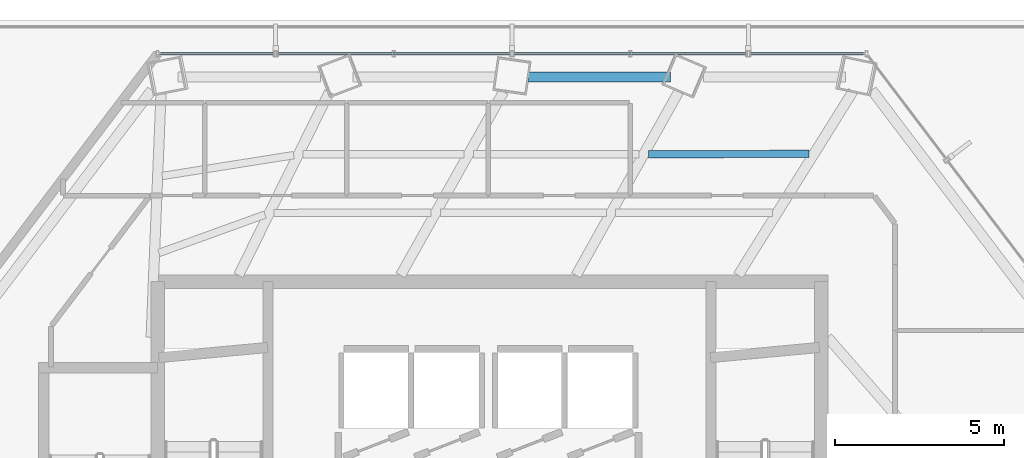
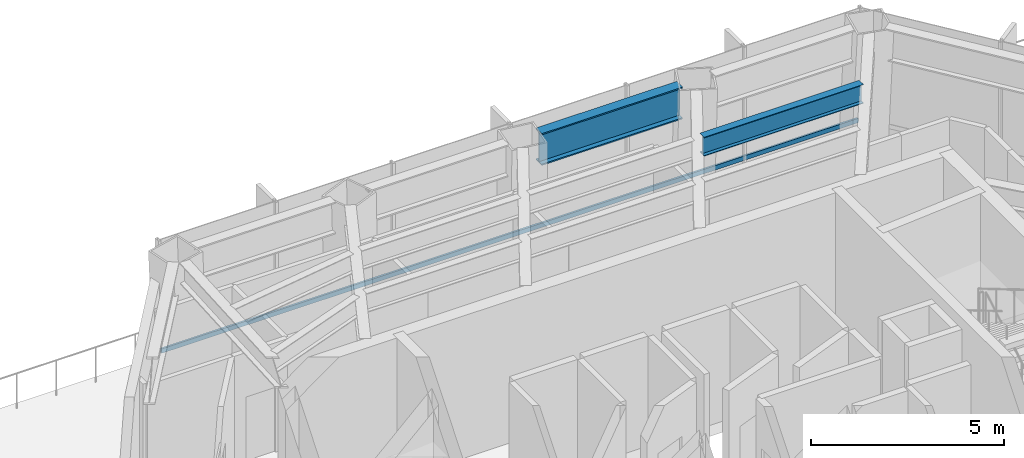
# One storey, part 16 of 30: 2 beams, 1 member, 1 element without a shape of its own.
"""IFC4 building model written with IfcOpenShell, lengths in metres."""

from ifc_helpers import new_model, si_unit, direction, frame, origin, origin_2d, place, context, subcontext, project, spatial, hollow_rectangle, i_section, extrude, material, layer, layer_set, material_profile, profile_set, type_object, element, aggregate, save


model = new_model("IFC4")

# Units and contexts
model_context = context("Model", 3, precision=1e-05, world=origin(), true_north=direction((0.0, 1.0)))
body_context = subcontext(model_context, "Body", "Model", "MODEL_VIEW")
ifc_project = project(units=[si_unit("LENGTHUNIT", "METRE"), si_unit("AREAUNIT", "SQUARE_METRE"), si_unit("VOLUMEUNIT", "CUBIC_METRE"), si_unit("PLANEANGLEUNIT", "RADIAN"), si_unit("MASSUNIT", "GRAM", prefix="KILO")], contexts=[model_context])

# Site, building, storey
site_placement = place(None, origin())
site = spatial("IfcSite", under=ifc_project, at=site_placement, CompositionType="ELEMENT")
building_placement = place(site_placement, origin())
building = spatial("IfcBuilding", under=site, at=building_placement, Name="Zarrinselat Tower", CompositionType="ELEMENT")
storey_placement = place(building_placement, frame((0.0, 0.0, 22.780029296875)))
storey = spatial("IfcBuildingStorey", under=building, at=storey_placement, Name="L05", CompositionType="ELEMENT", Elevation=22.780029296875)

# Beams
ifc_material_1 = material(Name="Steel S460M", Category="steel")
ifc_material_profile_1 = material_profile(ifc_material_1, i_section(OverallWidth=0.302001953125, OverallDepth=1.008056640625, WebThickness=0.02099609375, FlangeThickness=0.0400390625, at=origin_2d()), Name="HEM 1000")
ifc_profile_set_1 = profile_set([ifc_material_profile_1], Name="Steel S460M")
beam_type_1 = type_object("IfcBeamType", Name="BM-HEM1000", PredefinedType="BEAM", material=ifc_profile_set_1)
beam_1_placement = place(storey_placement, frame((39.58251953125, 49.510986328125, 3.995849609375), z_axis=(1.0, 0.0, 0.0), x_axis=(0.0, 1.0, 0.0)))
element("IfcBeam", 1, at=beam_1_placement, inside=storey, type_object=beam_type_1, Name="L05 Perimeter Spandrel Girder SP02", PredefinedType="BEAM", context=body_context, shape_type="SweptSolid", body=[
    extrude(i_section(OverallWidth=0.302001953125, OverallDepth=1.008056640625, WebThickness=0.02099609375, FlangeThickness=0.0400390625, at=origin_2d()), origin(), (0.0, 0.0, 1.0), 4.2099609375),
])
ifc_material_2 = material(Name="Steel S355J2", Category="steel")
ifc_material_profile_2 = material_profile(ifc_material_2, i_section(OverallWidth=0.219970703125, OverallDepth=0.60009765625, WebThickness=0.011962890625, FlangeThickness=0.01904296875, at=origin_2d()), Name="IPE 600")
ifc_profile_set_2 = profile_set([ifc_material_profile_2], Name="Steel S355J2")
beam_type_2 = type_object("IfcBeamType", Name="BM-IPE600", PredefinedType="JOIST", material=ifc_profile_set_2)
beam_2_placement = place(storey_placement, frame((43.143310546875, 47.225830078125, 4.199951171875), z_axis=(0.999998653658, 0.001640939281, 0.0), x_axis=(-0.001640939281, 0.999998653658, 0.0)))
element("IfcBeam", 2, at=beam_2_placement, inside=storey, type_object=beam_type_2, Name="L05 Composite Floor Joist 8-1", PredefinedType="JOIST", context=body_context, shape_type="SweptSolid", body=[
    extrude(i_section(OverallWidth=0.219970703125, OverallDepth=0.60009765625, WebThickness=0.011962890625, FlangeThickness=0.01904296875, at=origin_2d()), origin(), (0.0, 0.0, 1.0), 4.760986328125),
])

# Curtain wall, member
ifc_material_3 = material(Name="Extruded Aluminium Alloy EN AW-6063 T6", Category="aluminium")
ifc_layer = layer(ifc_material_3, 0.195068359375)
ifc_layer_set = layer_set([ifc_layer], Name="Extruded Aluminium Alloy EN AW-6063 T6")
curtain_wall_type = type_object("IfcCurtainWallType", Name="CWS-GDN", PredefinedType="NOTDEFINED", material=ifc_layer_set)
curtain_wall_placement = place(storey_placement, origin())
curtain_wall = element("IfcCurtainWall", 3, at=curtain_wall_placement, inside=storey, type_object=curtain_wall_type, Name="L05 Unitised Curtain Wall CW-L05-E01", PredefinedType="NOTDEFINED")
ifc_material_4 = material(Name="Extruded Aluminium Alloy EN AW-6063 T6", Category="aluminium")
ifc_material_profile_3 = material_profile(ifc_material_4, hollow_rectangle(XDim=0.06005859375, YDim=0.139892578125, WallThickness=0.00390625, at=origin_2d()), Name="RHS 140x60x4")
ifc_profile_set_3 = profile_set([ifc_material_profile_3], Name="Extruded Aluminium Alloy EN AW-6063 T6")
member_type = type_object("IfcMemberType", Name="MEM-CW-TRN", PredefinedType="USERDEFINED", material=ifc_profile_set_3)
member_placement = place(storey_placement, frame((49.510009765625, 50.199951171875, 0.949951171875), z_axis=(-1.0, 0.0, 0.0), x_axis=(0.0, -1.0, 0.0)))
member = element("IfcMember", 4, at=member_placement, type_object=member_type, Name="CW-L05-E01 Transom 1", ObjectType="TRANSOM", PredefinedType="USERDEFINED", context=body_context, shape_type="SweptSolid", body=[
    extrude(hollow_rectangle(XDim=0.06005859375, YDim=0.139892578125, WallThickness=0.00390625, at=origin_2d()), origin(), (0.0, 0.0, 1.0), 20.820068359375),
])
aggregate(curtain_wall, [member])

save(model, "model.ifc")
